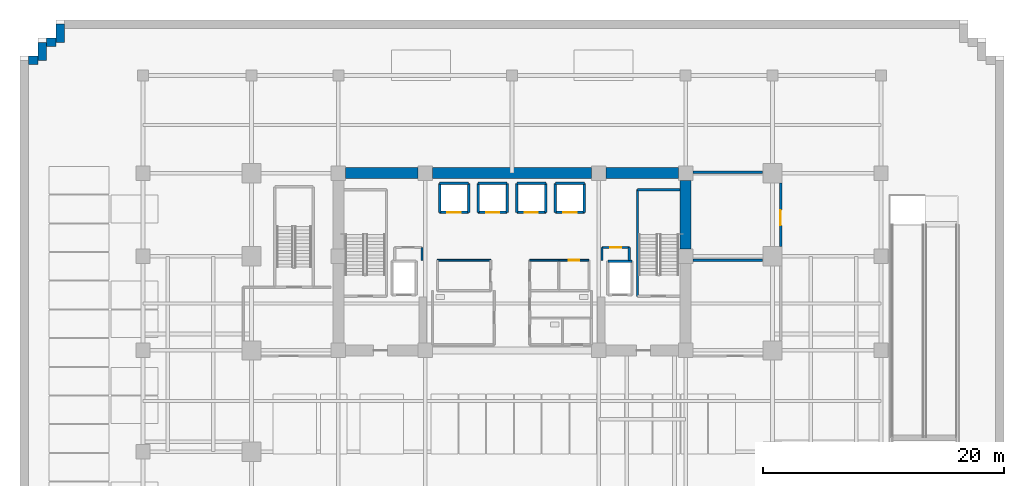
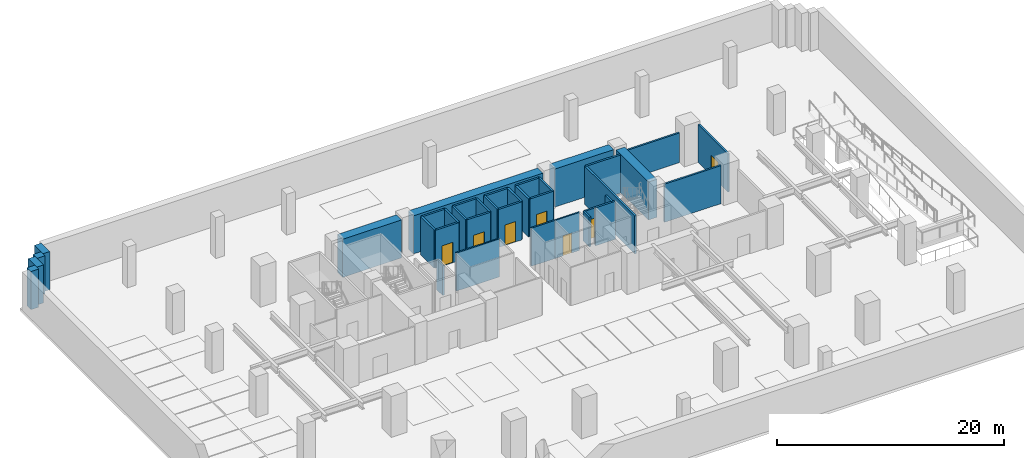
# One storey, part 5 of 14: 37 walls, 7 doors, 7 openings.
"""IFC4 building model written with IfcOpenShell, lengths in metres."""

import ifcopenshell
import ifcopenshell.guid

model = None  # the IFC model being written
_history = None  # IfcOwnerHistory: only IFC2X3 demands one
_inside = {}  # id of a spatial element -> (the spatial element, [elements in it])
_under = {}  # id of a project, library or spatial element -> (it, [spatial elements below it])
_declared = {}  # id of a project -> (the project, [libraries it declares])
_typed = {}  # id of a type object -> (the type object, [elements of that type])
_made_of = {}  # id of a material, layer set ... -> (it, [elements and type objects made of it])


def new_model(schema):
    """Start an empty IFC model of exactly this schema.

    Asked for "IFC4X3", IfcOpenShell would pick the latest addendum, in which some entities
    have other attributes; the version numbers below select the first issue.
    IFC2X3 requires an IfcOwnerHistory on every rooted entity: one is made here for all.
    """
    global model, _history
    if schema == "IFC4X3":
        model = ifcopenshell.file(schema_version=(4, 3, 0, 0))
    else:
        model = ifcopenshell.file(schema=schema)
    _inside.clear()
    _under.clear()
    _declared.clear()
    _typed.clear()
    _made_of.clear()
    _history = None
    if model.schema == "IFC2X3":
        org = make("IfcOrganization", Name="unknown")
        user = make(
            "IfcPersonAndOrganization",
            ThePerson=make("IfcPerson", FamilyName="unknown"),
            TheOrganization=org,
        )
        app = make(
            "IfcApplication",
            ApplicationDeveloper=org,
            Version="unknown",
            ApplicationFullName="unknown",
            ApplicationIdentifier="unknown",
        )
        _history = make(
            "IfcOwnerHistory",
            OwningUser=user,
            OwningApplication=app,
            ChangeAction="ADDED",
            CreationDate=0,
        )
    return model


def make(cls, **values):
    """One entity of the class cls with the attributes given. An attribute that is None is left unset."""
    return model.create_entity(
        cls, **{name: value for name, value in values.items() if value is not None}
    )


def rooted(cls, **values):
    """An entity with a GlobalId (a new one), such as an element, a storey or a relation."""
    return make(cls, GlobalId=ifcopenshell.guid.new(), OwnerHistory=_history, **values)


def si_unit(unit_type, name, prefix=None):
    """IfcSIUnit, for example si_unit("LENGTHUNIT", "METRE", prefix="MILLI")."""
    return make("IfcSIUnit", UnitType=unit_type, Prefix=prefix, Name=name)


def assignment(units):
    """IfcUnitAssignment: the units of a project."""
    return None if units is None else make("IfcUnitAssignment", Units=units)


def point(xyz):
    """IfcCartesianPoint."""
    return None if xyz is None else make("IfcCartesianPoint", Coordinates=xyz)


def direction(xyz):
    """IfcDirection."""
    return None if xyz is None else make("IfcDirection", DirectionRatios=xyz)


def frame(location, z_axis=None, x_axis=None):
    """IfcAxis2Placement3D, a coordinate frame: its origin and axes. An axis left out is left unset."""
    return make(
        "IfcAxis2Placement3D",
        Location=point(location),
        Axis=direction(z_axis),
        RefDirection=direction(x_axis),
    )


def frame_2d(location, x_axis=None):
    """IfcAxis2Placement2D, a coordinate frame in the plane: its origin and x axis."""
    return make(
        "IfcAxis2Placement2D", Location=point(location), RefDirection=direction(x_axis)
    )


def origin():
    """The frame at (0, 0, 0) with its axes left unset."""
    return frame((0.0, 0.0, 0.0))


def place(relative_to, where):
    """IfcLocalPlacement: puts the frame where relative to a parent placement (None: the world)."""
    return make(
        "IfcLocalPlacement", PlacementRelTo=relative_to, RelativePlacement=where
    )


def context(
    kind, dimensions, precision=None, world=None, true_north=None, identifier=None
):
    """IfcGeometricRepresentationContext, for example the 3D "Model" context."""
    return make(
        "IfcGeometricRepresentationContext",
        ContextIdentifier=identifier,
        ContextType=kind,
        CoordinateSpaceDimension=dimensions,
        Precision=precision,
        WorldCoordinateSystem=world,
        TrueNorth=true_north,
    )


def subcontext(parent, identifier, kind, view, scale=None):
    """IfcGeometricRepresentationSubContext, for example "Body" below "Model"."""
    return make(
        "IfcGeometricRepresentationSubContext",
        ContextIdentifier=identifier,
        ContextType=kind,
        ParentContext=parent,
        TargetScale=scale,
        TargetView=view,
    )


def project(units=None, contexts=None):
    """IfcProject with its units and contexts."""
    return rooted(
        "IfcProject",
        Name="project",
        RepresentationContexts=contexts,
        UnitsInContext=assignment(units),
    )


def spatial(cls, under=None, at=None, **own):
    """A site, building, storey or space (cls), placed at a placement, below another one or the project."""
    s = rooted(cls, ObjectPlacement=at, **own)
    if under is not None:
        _under.setdefault(under.id(), (under, []))[1].append(s)
    return s


def profile(cls, at=None, kind="AREA", **sizes):
    """A parametric profile (cls). Its sizes go by their IFC names, for example OverallWidth=200.0."""
    return make(cls, ProfileType=kind, Position=at, **sizes)


def rectangle(**sizes):
    """IfcRectangleProfileDef."""
    return profile("IfcRectangleProfileDef", **sizes)


def extrude(swept, where, along, depth):
    """IfcExtrudedAreaSolid: the profile swept, set in the frame where, extruded along a direction by depth."""
    return make(
        "IfcExtrudedAreaSolid",
        SweptArea=swept,
        Position=where,
        ExtrudedDirection=direction(along),
        Depth=depth,
    )


def shape(context_of_items, identifier, shape_type, items):
    """IfcShapeRepresentation: the items that make up one representation, for example the "Body"."""
    return make(
        "IfcShapeRepresentation",
        ContextOfItems=context_of_items,
        RepresentationIdentifier=identifier,
        RepresentationType=shape_type,
        Items=items,
    )


def source(mapping_origin, context_of_items, identifier, shape_type, items):
    """IfcRepresentationMap: a shape defined once, which mapped items show again and again."""
    return make(
        "IfcRepresentationMap",
        MappingOrigin=mapping_origin,
        MappedRepresentation=shape(context_of_items, identifier, shape_type, items),
    )


def transform(
    local_origin,
    x_axis=None,
    y_axis=None,
    z_axis=None,
    scale=None,
    scale2=None,
    scale3=None,
    uniform=True,
):
    """IfcCartesianTransformationOperator3D, or its non-uniform kind. x_axis, y_axis, z_axis: its Axis1, 2, 3."""
    if uniform:
        return make(
            "IfcCartesianTransformationOperator3D",
            Axis1=direction(x_axis),
            Axis2=direction(y_axis),
            LocalOrigin=point(local_origin),
            Scale=scale,
            Axis3=direction(z_axis),
        )
    return make(
        "IfcCartesianTransformationOperator3DnonUniform",
        Axis1=direction(x_axis),
        Axis2=direction(y_axis),
        LocalOrigin=point(local_origin),
        Scale=scale,
        Axis3=direction(z_axis),
        Scale2=scale2,
        Scale3=scale3,
    )


def mapped(mapping_source, mapping_target):
    """IfcMappedItem: shows the shape of a source again, moved by a transform."""
    return make(
        "IfcMappedItem", MappingSource=mapping_source, MappingTarget=mapping_target
    )


def material(Name=None, Category=None):
    """IfcMaterial."""
    return make("IfcMaterial", Name=Name, Category=Category)


def layer(
    of_material, thickness, ventilated=None, Name=None, Category=None, Priority=None
):
    """IfcMaterialLayer: one layer of a wall or slab, of a material (None: an air gap)."""
    return make(
        "IfcMaterialLayer",
        Material=of_material,
        LayerThickness=thickness,
        IsVentilated=ventilated,
        Name=Name,
        Category=Category,
        Priority=Priority,
    )


def layer_set(layers, Name=None):
    """IfcMaterialLayerSet."""
    return make("IfcMaterialLayerSet", MaterialLayers=layers, LayerSetName=Name)


def made_of(thing, what):
    """Note that an element or type object is made of a material, layer set ...; save() writes the relation."""
    if what is not None:
        _made_of.setdefault(what.id(), (what, []))[1].append(thing)
    return thing


def type_object(cls, material=None, **own):
    """A type object (cls), such as IfcWallType, which elements share."""
    return made_of(rooted(cls, **own), material)


def element(
    cls,
    number,
    at=None,
    inside=None,
    cuts=None,
    type_object=None,
    material=None,
    context=None,
    identifier="Body",
    shape_type=None,
    held_by="IfcProductDefinitionShape",
    body=None,
    shapes=None,
    **own,
):
    """One element of the class cls, such as IfcWall. Its Tag is "e" and its number.

    at: its placement. inside: the storey or other place that contains it. cuts: it is an
    opening in that element (IfcRelVoidsElement). A single representation is given by context,
    identifier, shape_type and body (its items); several are given by shapes. held_by: the class
    of the entity that holds the representations. save() writes the other relations.
    """
    e = rooted(cls, Tag="e%d" % number, ObjectPlacement=at, **own)
    if body is not None:
        shapes = [shape(context, identifier, shape_type, body)]
    if shapes is not None:
        e.Representation = make(held_by, Representations=shapes)
    if inside is not None:
        _inside.setdefault(inside.id(), (inside, []))[1].append(e)
    if cuts is not None:
        rooted(
            "IfcRelVoidsElement", RelatingBuildingElement=cuts, RelatedOpeningElement=e
        )
    if type_object is not None:
        _typed.setdefault(type_object.id(), (type_object, []))[1].append(e)
    return made_of(e, material)


def fill(opening, filler):
    """IfcRelFillsElement: the door or window that sits in an opening."""
    return rooted(
        "IfcRelFillsElement",
        RelatingOpeningElement=opening,
        RelatedBuildingElement=filler,
    )


def aggregate(whole, parts):
    """IfcRelAggregates: a whole, such as a stair, and the parts it consists of."""
    return rooted("IfcRelAggregates", RelatingObject=whole, RelatedObjects=parts)


def save(model, path):
    """Write the relations noted so far, then the file.

    IfcRelAggregates (storeys below a building ...), IfcRelContainedInSpatialStructure (elements
    in a storey), IfcRelDefinesByType, IfcRelAssociatesMaterial and IfcRelDeclares: one each for
    every whole, place, type object, material and project.
    """
    for whole, parts in _under.values():
        aggregate(whole, parts)
    for where, things in _inside.values():
        rooted(
            "IfcRelContainedInSpatialStructure",
            RelatedElements=things,
            RelatingStructure=where,
        )
    for kind, things in _typed.values():
        rooted("IfcRelDefinesByType", RelatedObjects=things, RelatingType=kind)
    for what, things in _made_of.values():
        rooted("IfcRelAssociatesMaterial", RelatedObjects=things, RelatingMaterial=what)
    for by, libraries in _declared.values():
        rooted("IfcRelDeclares", RelatingContext=by, RelatedDefinitions=libraries)
    model.write(path)


model = new_model("IFC4")

# Units and contexts
model_context = context("Model", 3, precision=1e-05, world=origin(), true_north=direction((0.0, 1.0)))
body_context = subcontext(model_context, "Body", "Model", "MODEL_VIEW")
ifc_project = project(units=[si_unit("LENGTHUNIT", "METRE"), si_unit("AREAUNIT", "SQUARE_METRE"), si_unit("VOLUMEUNIT", "CUBIC_METRE"), si_unit("PLANEANGLEUNIT", "RADIAN"), si_unit("MASSUNIT", "GRAM", prefix="KILO")], contexts=[model_context])

# Site, building, storey
site_placement = place(None, origin())
site = spatial("IfcSite", under=ifc_project, at=site_placement, CompositionType="ELEMENT")
building_placement = place(site_placement, origin())
building = spatial("IfcBuilding", under=site, at=building_placement, Name="Zarnakvel Exchange Tower", CompositionType="ELEMENT")
storey_placement = place(building_placement, frame((0.0, 0.0, -4.39990234375)))
storey = spatial("IfcBuildingStorey", under=building, at=storey_placement, Name="B01", CompositionType="ELEMENT", Elevation=-4.39990234375)

# Walls
ifc_material_1 = material(Name="Concrete C80/95", Category="concrete")
ifc_layer_1 = layer(ifc_material_1, 0.89990234375)
ifc_layer_set_1 = layer_set([ifc_layer_1], Name="Concrete C80/95")
wall_type_1 = type_object("IfcWallType", Name="CW-C1", PredefinedType="SHEAR", material=ifc_layer_set_1)
wall_1_placement = place(storey_placement, frame((-13.800048828125, 13.5, 0.0), z_axis=(0.0, 0.0, 1.0), x_axis=(1.0, 0.0, 0.0)))
element("IfcWall", 1, at=wall_1_placement, inside=storey, type_object=wall_type_1, Name="B01 Rear Core Shear Wall N1 (CW-C1)", PredefinedType="SHEAR", context=body_context, shape_type="SweptSolid", body=[
    extrude(rectangle(XDim=6.0, YDim=0.89990234375, at=frame_2d((3.0, 0.0))), origin(), (0.0, 0.0, 1.0), 4.099853515625),
])
wall_2_placement = place(storey_placement, frame((-6.60009765625, 13.5, 0.0), z_axis=(0.0, 0.0, 1.0), x_axis=(1.0, 0.0, 0.0)))
element("IfcWall", 2, at=wall_2_placement, inside=storey, type_object=wall_type_1, Name="B01 Rear Core Shear Wall N2 (CW-C1)", PredefinedType="SHEAR", context=body_context, shape_type="SweptSolid", body=[
    extrude(rectangle(XDim=13.2001953125, YDim=0.89990234375, at=frame_2d((6.60009765625, 0.0))), origin(), (0.0, 0.0, 1.0), 4.099853515625),
])
wall_3_placement = place(storey_placement, frame((7.800048828125, 13.5, 0.0), z_axis=(0.0, 0.0, 1.0), x_axis=(1.0, 0.0, 0.0)))
element("IfcWall", 3, at=wall_3_placement, inside=storey, type_object=wall_type_1, Name="B01 Rear Core Shear Wall N3 (CW-C1)", PredefinedType="SHEAR", context=body_context, shape_type="SweptSolid", body=[
    extrude(rectangle(XDim=6.0, YDim=0.89990234375, at=frame_2d((3.0, 0.0))), origin(), (0.0, 0.0, 1.0), 4.099853515625),
])
wall_4_placement = place(storey_placement, frame((14.39990234375, 7.199951171875, 0.0), z_axis=(0.0, 0.0, 1.0), x_axis=(0.0, 1.0, 0.0)))
element("IfcWall", 4, at=wall_4_placement, inside=storey, type_object=wall_type_1, Name="B01 Rear Core Shear Wall E2 (CW-C1)", PredefinedType="SHEAR", context=body_context, shape_type="SweptSolid", body=[
    extrude(rectangle(XDim=5.699951171875, YDim=0.89990234375, at=frame_2d((2.85009765625, 0.0))), origin(), (0.0, 0.0, 1.0), 4.099853515625),
])
ifc_material_2 = material(Name="Fire-Rated Gypsum Stud Partition", Category="gypsum")
ifc_layer_2 = layer(ifc_material_2, 0.14990234375)
ifc_layer_set_2 = layer_set([ifc_layer_2], Name="Fire-Rated Gypsum Stud Partition")
wall_type_2 = type_object("IfcWallType", Name="PT-01", PredefinedType="PARTITIONING", material=ifc_layer_set_2)
wall_5_placement = place(storey_placement, frame((-6.179931640625, 6.280029296875, 0.0), z_axis=(0.0, 0.0, 1.0), x_axis=(1.0, 0.0, 0.0)))
element("IfcWall", 5, at=wall_5_placement, inside=storey, type_object=wall_type_2, Name="B01 Partition Wall PWALL-B01-014 (PT-01)", PredefinedType="PARTITIONING", context=body_context, shape_type="SweptSolid", body=[
    extrude(rectangle(XDim=4.409912109375, YDim=0.14990234375, at=frame_2d((2.205078125, 0.0))), origin(), (0.0, 0.0, 1.0), 4.099853515625),
])
wall_6_placement = place(storey_placement, frame((1.469970703125, 6.280029296875, 0.0), z_axis=(0.0, 0.0, 1.0), x_axis=(1.0, 0.0, 0.0)))
element("IfcWall", 6, at=wall_6_placement, inside=storey, type_object=wall_type_2, Name="B01 Partition Wall PWALL-B01-018 (PT-01)", PredefinedType="PARTITIONING", context=body_context, shape_type="SweptSolid", body=[
    extrude(rectangle(XDim=2.409912109375, YDim=0.14990234375, at=frame_2d((1.205078125, 0.0))), origin(), (0.0, 0.0, 1.0), 4.099853515625),
])

# Wall, opening, door
wall_7_placement = place(storey_placement, frame((3.8798828125, 6.280029296875, 0.0), z_axis=(0.0, 0.0, 1.0), x_axis=(1.0, 0.0, 0.0)))
wall_7 = element("IfcWall", 7, at=wall_7_placement, inside=storey, type_object=wall_type_2, Name="B01 Partition Wall PWALL-B01-022 (PT-01)", PredefinedType="PARTITIONING", context=body_context, shape_type="SweptSolid", body=[
    extrude(rectangle(XDim=2.5, YDim=0.14990234375, at=frame_2d((1.25, 0.0))), origin(), (0.0, 0.0, 1.0), 4.099853515625),
])
opening_1_placement = place(wall_7_placement, frame((0.81005859375, 0.0, 0.0)))
opening_1 = element("IfcOpeningElement", 8, at=opening_1_placement, cuts=wall_7, Name="Opening D-B01-07", PredefinedType="OPENING", context=body_context, shape_type="SweptSolid", body=[
    extrude(rectangle(XDim=0.8798828125, YDim=2.14990234375, at=frame_2d((0.43994140625, 1.074951171875))), frame((0.0, 0.0849609375, 0.0), z_axis=(0.0, -1.0, 0.0), x_axis=(1.0, 0.0, 0.0)), (0.0, 0.0, 1.0), 0.169921875),
])
ifc_material_3 = material(Name="Timber Acoustic Veneer", Category="wood")
door_type_1 = type_object("IfcDoorType", Name="DT-05", OperationType="NOTDEFINED", PredefinedType="DOOR", material=ifc_material_3)
shared_shape_1 = source(origin(), body_context, "Body", "SweptSolid", [
    extrude(rectangle(XDim=0.8798828125, YDim=2.14990234375, at=frame_2d((0.43994140625, 1.074951171875))), frame((0.0, 0.02490234375, 0.0), z_axis=(0.0, -1.0, 0.0), x_axis=(1.0, 0.0, 0.0)), (0.0, 0.0, 1.0), 0.050048828125),
])
door_1_placement = place(opening_1_placement, origin())
door_1 = element("IfcDoor", 9, at=door_1_placement, inside=storey, type_object=door_type_1, Name="B01 Data Copy Room Door D-B01-07", OperationType="SINGLE_SWING_RIGHT", OverallHeight=2.14990234375, OverallWidth=0.8798828125, PredefinedType="DOOR", context=body_context, shape_type="MappedRepresentation", body=[
    mapped(shared_shape_1, transform((0.0, 0.0, 0.0), x_axis=(1.0, 0.0, 0.0), y_axis=(0.0, 1.0, 0.0), z_axis=(0.0, 0.0, 1.0), scale=1.0)),
])
fill(opening_1, door_1)

# Wall
ifc_layer_3 = layer(ifc_material_2, 0.179931640625)
ifc_layer_set_3 = layer_set([ifc_layer_3], Name="Fire-Rated Gypsum Stud Partition")
wall_type_3 = type_object("IfcWallType", Name="PT-02", PredefinedType="PARTITIONING", material=ifc_layer_set_3)
wall_8_placement = place(storey_placement, frame((-7.469970703125, 7.330078125, 0.0), z_axis=(0.0, 0.0, 1.0), x_axis=(0.0, -1.0, 0.0)))
element("IfcWall", 10, at=wall_8_placement, inside=storey, type_object=wall_type_3, Name="B01 Partition Wall PWALL-B01-009 (PT-02)", PredefinedType="PARTITIONING", context=body_context, shape_type="SweptSolid", body=[
    extrude(rectangle(XDim=1.090087890625, YDim=0.179931640625, at=frame_2d((0.544921875, 0.0))), origin(), (0.0, 0.0, 1.0), 3.18994140625),
])

# Wall, opening, door
wall_9_placement = place(storey_placement, frame((7.469970703125, 7.330078125, 0.0), z_axis=(0.0, 0.0, 1.0), x_axis=(1.0, 0.0, 0.0)))
wall_9 = element("IfcWall", 11, at=wall_9_placement, inside=storey, type_object=wall_type_3, Name="B01 Partition Wall PWALL-B01-010 (PT-02)", PredefinedType="PARTITIONING", context=body_context, shape_type="SweptSolid", body=[
    extrude(rectangle(XDim=2.260009765625, YDim=0.179931640625, at=frame_2d((1.1298828125, 0.0))), origin(), (0.0, 0.0, 1.0), 3.18994140625),
])
opening_2_placement = place(wall_9_placement, frame((0.68994140625, 0.0, 0.0)))
opening_2 = element("IfcOpeningElement", 12, at=opening_2_placement, cuts=wall_9, Name="Opening D-B01-17", PredefinedType="OPENING", context=body_context, shape_type="SweptSolid", body=[
    extrude(rectangle(XDim=0.8798828125, YDim=2.10009765625, at=frame_2d((0.43994140625, 1.050048828125))), frame((0.0, 0.099853515625, 0.0), z_axis=(0.0, -1.0, 0.0), x_axis=(1.0, 0.0, 0.0)), (0.0, 0.0, 1.0), 0.199951171875),
])
ifc_material_4 = material(Name="Painted Galvanised Steel S355", Category="steel")
door_type_2 = type_object("IfcDoorType", Name="DT-08", OperationType="NOTDEFINED", PredefinedType="DOOR", material=ifc_material_4)
shared_shape_2 = source(origin(), body_context, "Body", "SweptSolid", [
    extrude(rectangle(XDim=0.8798828125, YDim=2.10009765625, at=frame_2d((0.43994140625, 1.050048828125))), frame((0.0, 0.02490234375, 0.0), z_axis=(0.0, -1.0, 0.0), x_axis=(1.0, 0.0, 0.0)), (0.0, 0.0, 1.0), 0.050048828125),
])
door_2_placement = place(opening_2_placement, origin())
door_2 = element("IfcDoor", 13, at=door_2_placement, inside=storey, type_object=door_type_2, Name="B01 Telecom Riser Door D-B01-17", OperationType="SINGLE_SWING_RIGHT", OverallHeight=2.10009765625, OverallWidth=0.8798828125, PredefinedType="DOOR", context=body_context, shape_type="MappedRepresentation", body=[
    mapped(shared_shape_2, transform((0.0, 0.0, 0.0), x_axis=(1.0, 0.0, 0.0), y_axis=(0.0, 1.0, 0.0), z_axis=(0.0, 0.0, 1.0), scale=1.0)),
])
fill(opening_2, door_2)

# Walls
wall_10_placement = place(storey_placement, frame((7.469970703125, 6.239990234375, 0.0), z_axis=(0.0, 0.0, 1.0), x_axis=(0.0, 1.0, 0.0)))
element("IfcWall", 14, at=wall_10_placement, inside=storey, type_object=wall_type_3, Name="B01 Partition Wall PWALL-B01-011 (PT-02)", PredefinedType="PARTITIONING", context=body_context, shape_type="SweptSolid", body=[
    extrude(rectangle(XDim=1.090087890625, YDim=0.179931640625, at=frame_2d((0.544921875, 0.0))), origin(), (0.0, 0.0, 1.0), 3.18994140625),
])
wall_11_placement = place(storey_placement, frame((9.72998046875, 7.330078125, 0.0), z_axis=(0.0, 0.0, 1.0), x_axis=(0.0, -1.0, 0.0)))
element("IfcWall", 15, at=wall_11_placement, inside=storey, type_object=wall_type_3, Name="B01 Partition Wall PWALL-B01-012 (PT-02)", PredefinedType="PARTITIONING", context=body_context, shape_type="SweptSolid", body=[
    extrude(rectangle(XDim=1.090087890625, YDim=0.179931640625, at=frame_2d((0.544921875, 0.0))), origin(), (0.0, 0.0, 1.0), 4.099853515625),
])
wall_12_placement = place(storey_placement, frame((15.02001953125, 6.280029296875, 0.0), z_axis=(0.0, 0.0, 1.0), x_axis=(1.0, 0.0, 0.0)))
element("IfcWall", 16, at=wall_12_placement, inside=storey, type_object=wall_type_3, Name="B01 Partition Wall PWALL-B01-044 (PT-02)", PredefinedType="PARTITIONING", context=body_context, shape_type="SweptSolid", body=[
    extrude(rectangle(XDim=5.760009765625, YDim=0.179931640625, at=frame_2d((2.8798828125, 0.0))), origin(), (0.0, 0.0, 1.0), 4.099853515625),
])
wall_13_placement = place(storey_placement, frame((15.02001953125, 13.580078125, 0.0), z_axis=(0.0, 0.0, 1.0), x_axis=(1.0, 0.0, 0.0)))
element("IfcWall", 17, at=wall_13_placement, inside=storey, type_object=wall_type_3, Name="B01 Partition Wall PWALL-B01-046 (PT-02)", PredefinedType="PARTITIONING", context=body_context, shape_type="SweptSolid", body=[
    extrude(rectangle(XDim=5.760009765625, YDim=0.179931640625, at=frame_2d((2.8798828125, 0.0))), origin(), (0.0, 0.0, 1.0), 3.18994140625),
])

# Wall, opening, door
wall_14_placement = place(storey_placement, frame((22.280029296875, 12.679931640625, 0.0), z_axis=(0.0, 0.0, 1.0), x_axis=(0.0, -1.0, 0.0)))
wall_14 = element("IfcWall", 18, at=wall_14_placement, inside=storey, type_object=wall_type_3, Name="B01 Partition Wall PWALL-B01-047 (PT-02)", PredefinedType="PARTITIONING", context=body_context, shape_type="SweptSolid", body=[
    extrude(rectangle(XDim=5.260009765625, YDim=0.179931640625, at=frame_2d((2.6298828125, 0.0))), origin(), (0.0, 0.0, 1.0), 4.099853515625),
])
opening_3_placement = place(wall_14_placement, frame((2.2548828125, 0.0, 0.0)))
opening_3 = element("IfcOpeningElement", 19, at=opening_3_placement, cuts=wall_14, Name="Opening D-B01-15", PredefinedType="OPENING", context=body_context, shape_type="SweptSolid", body=[
    extrude(rectangle(XDim=1.25, YDim=2.14990234375, at=frame_2d((0.625, 1.074951171875))), frame((0.0, 0.099853515625, 0.0), z_axis=(0.0, -1.0, 0.0), x_axis=(1.0, 0.0, 0.0)), (0.0, 0.0, 1.0), 0.199951171875),
])
door_type_3 = type_object("IfcDoorType", Name="DT-06", OperationType="NOTDEFINED", PredefinedType="DOOR", material=ifc_material_4)
shared_shape_3 = source(origin(), body_context, "Body", "SweptSolid", [
    extrude(rectangle(XDim=1.25, YDim=2.14990234375, at=frame_2d((0.625, 1.074951171875))), frame((0.0, 0.02490234375, 0.0), z_axis=(0.0, -1.0, 0.0), x_axis=(1.0, 0.0, 0.0)), (0.0, 0.0, 1.0), 0.050048828125),
])
door_3_placement = place(opening_3_placement, origin())
door_3 = element("IfcDoor", 20, at=door_3_placement, inside=storey, type_object=door_type_3, Name="B01 Podium AHU Fan Plant Room Door D-B01-15", OperationType="SINGLE_SWING_RIGHT", OverallHeight=2.14990234375, OverallWidth=1.25, PredefinedType="DOOR", context=body_context, shape_type="MappedRepresentation", body=[
    mapped(shared_shape_3, transform((0.0, 0.0, 0.0), x_axis=(1.0, 0.0, 0.0), y_axis=(0.0, 1.0, 0.0), z_axis=(0.0, 0.0, 1.0), scale=1.0)),
])
fill(opening_3, door_3)

# Walls
ifc_material_5 = material(Name="Concrete C50/60", Category="concrete")
ifc_layer_4 = layer(ifc_material_5, 0.699951171875)
ifc_layer_set_4 = layer_set([ifc_layer_4], Name="Concrete C50/60")
wall_type_4 = type_object("IfcWallType", Name="RW-02", PredefinedType="USERDEFINED", material=ifc_layer_set_4)
wall_15_placement = place(storey_placement, frame((-40.10009765625, 22.85009765625, 0.0), z_axis=(0.0, 0.0, 1.0), x_axis=(1.0, 0.0, 0.0)))
element("IfcWall", 21, at=wall_15_placement, inside=storey, type_object=wall_type_4, Name="B01 Perimeter Retaining Wall RW-02 #2", ObjectType="RETAININGWALL", PredefinedType="USERDEFINED", context=body_context, shape_type="SweptSolid", body=[
    extrude(rectangle(XDim=0.800048828125, YDim=0.699951171875, at=frame_2d((0.39990234375, 0.0))), origin(), (0.0, 0.0, 1.0), 4.099853515625),
])
wall_16_placement = place(storey_placement, frame((-38.949951171875, 22.85009765625, 0.0), z_axis=(0.0, 0.0, 1.0), x_axis=(0.0, 1.0, 0.0)))
element("IfcWall", 22, at=wall_16_placement, inside=storey, type_object=wall_type_4, Name="B01 Perimeter Retaining Wall RW-02 #3", ObjectType="RETAININGWALL", PredefinedType="USERDEFINED", context=body_context, shape_type="SweptSolid", body=[
    extrude(rectangle(XDim=1.5, YDim=0.699951171875, at=frame_2d((0.75, 0.0))), origin(), (0.0, 0.0, 1.0), 4.099853515625),
])
wall_17_placement = place(storey_placement, frame((-38.60009765625, 24.35009765625, 0.0), z_axis=(0.0, 0.0, 1.0), x_axis=(1.0, 0.0, 0.0)))
element("IfcWall", 23, at=wall_17_placement, inside=storey, type_object=wall_type_4, Name="B01 Perimeter Retaining Wall RW-02 #4", ObjectType="RETAININGWALL", PredefinedType="USERDEFINED", context=body_context, shape_type="SweptSolid", body=[
    extrude(rectangle(XDim=0.800048828125, YDim=0.699951171875, at=frame_2d((0.39990234375, 0.0))), origin(), (0.0, 0.0, 1.0), 4.099853515625),
])
wall_18_placement = place(storey_placement, frame((-37.449951171875, 24.35009765625, 0.0), z_axis=(0.0, 0.0, 1.0), x_axis=(0.0, 1.0, 0.0)))
element("IfcWall", 24, at=wall_18_placement, inside=storey, type_object=wall_type_4, Name="B01 Perimeter Retaining Wall RW-02 #5", ObjectType="RETAININGWALL", PredefinedType="USERDEFINED", context=body_context, shape_type="SweptSolid", body=[
    extrude(rectangle(XDim=1.5, YDim=0.699951171875, at=frame_2d((0.75, 0.0))), origin(), (0.0, 0.0, 1.0), 4.099853515625),
])
ifc_material_6 = material(Name="Concrete C40/50", Category="concrete")
ifc_layer_5 = layer(ifc_material_6, 0.199951171875)
ifc_layer_set_5 = layer_set([ifc_layer_5], Name="Concrete C40/50")
wall_type_5 = type_object("IfcWallType", Name="SW-01", PredefinedType="SOLIDWALL", material=ifc_layer_set_5)
wall_19_placement = place(storey_placement, frame((7.949951171875, 6.199951171875, 0.0), z_axis=(0.0, 0.0, 1.0), x_axis=(1.0, 0.0, 0.0)))
element("IfcWall", 25, at=wall_19_placement, inside=storey, type_object=wall_type_5, Name="B01 FL-02 Hoistway Wall North", PredefinedType="SOLIDWALL", context=body_context, shape_type="SweptSolid", body=[
    extrude(rectangle(XDim=2.0, YDim=0.199951171875, at=frame_2d((1.0, 0.0))), origin(), (0.0, 0.0, 1.0), 4.099853515625),
])

# Wall, opening, door
wall_20_placement = place(storey_placement, frame((-3.60009765625, 10.25, 0.0), z_axis=(0.0, 0.0, 1.0), x_axis=(-1.0, 0.0, 0.0)))
wall_20 = element("IfcWall", 26, at=wall_20_placement, inside=storey, type_object=wall_type_5, Name="B01 PL-01 Hoistway Wall South", PredefinedType="SOLIDWALL", context=body_context, shape_type="SweptSolid", body=[
    extrude(rectangle(XDim=2.39990234375, YDim=0.199951171875, at=frame_2d((1.199951171875, 0.0))), origin(), (0.0, 0.0, 1.0), 4.099853515625),
])
opening_4_placement = place(wall_20_placement, frame((0.64990234375, 0.0, 0.0)))
opening_4 = element("IfcOpeningElement", 27, at=opening_4_placement, cuts=wall_20, Name="Opening LD-PL-01-B01", PredefinedType="OPENING", context=body_context, shape_type="SweptSolid", body=[
    extrude(rectangle(XDim=1.10009765625, YDim=2.199951171875, at=frame_2d((0.550048828125, 1.10009765625))), frame((0.0, 0.10986328125, 0.0), z_axis=(0.0, -1.0, 0.0), x_axis=(1.0, 0.0, 0.0)), (0.0, 0.0, 1.0), 0.219970703125),
])
ifc_material_7 = material(Name="Architectural Bronze Anodised Aluminium", Category="aluminium")
door_type_4 = type_object("IfcDoorType", Name="LDT-02", OperationType="NOTDEFINED", PredefinedType="DOOR", material=ifc_material_7)
shared_shape_4 = source(origin(), body_context, "Body", "SweptSolid", [
    extrude(rectangle(XDim=1.10009765625, YDim=2.199951171875, at=frame_2d((0.550048828125, 1.10009765625))), frame((0.0, 0.02490234375, 0.0), z_axis=(0.0, -1.0, 0.0), x_axis=(1.0, 0.0, 0.0)), (0.0, 0.0, 1.0), 0.050048828125),
])
door_4_placement = place(opening_4_placement, origin())
door_4 = element("IfcDoor", 28, at=door_4_placement, inside=storey, type_object=door_type_4, Name="B01 PL-01 Lift Landing Door LD-PL-01-B01", OperationType="DOUBLE_DOOR_SLIDING", OverallHeight=2.199951171875, OverallWidth=1.10009765625, PredefinedType="DOOR", context=body_context, shape_type="MappedRepresentation", body=[
    mapped(shared_shape_4, transform((0.0, 0.0, 0.0), x_axis=(1.0, 0.0, 0.0), y_axis=(0.0, 1.0, 0.0), z_axis=(0.0, 0.0, 1.0), scale=1.0)),
])
fill(opening_4, door_4)

# Walls
for number, where, z_axis, x_axis, name in (
    (29, (-6.0, 12.64990234375, 0.0), (0.0, 0.0, 1.0), (1.0, 0.0, 0.0), "B01 PL-01 Hoistway Wall North"),
    (30, (-6.0, 10.25, 0.0), (0.0, 0.0, 1.0), (0.0, 1.0, 0.0), "B01 PL-01 Hoistway Wall West"),
    (31, (-3.60009765625, 12.64990234375, 0.0), (0.0, 0.0, 1.0), (0.0, -1.0, 0.0), "B01 PL-01 Hoistway Wall East"),
):
    element("IfcWall", number, at=place(storey_placement, frame(where, z_axis=z_axis, x_axis=x_axis)), inside=storey, type_object=wall_type_5, Name=name, PredefinedType="SOLIDWALL", context=body_context, shape_type="SweptSolid", body=[
        extrude(rectangle(XDim=2.39990234375, YDim=0.199951171875, at=frame_2d((1.199951171875, 0.0))), origin(), (0.0, 0.0, 1.0), 4.099853515625),
    ])

# Wall, opening, door
wall_21_placement = place(storey_placement, frame((-0.39990234375, 10.25, 0.0), z_axis=(0.0, 0.0, 1.0), x_axis=(-1.0, 0.0, 0.0)))
wall_21 = element("IfcWall", 32, at=wall_21_placement, inside=storey, type_object=wall_type_5, Name="B01 PL-02 Hoistway Wall South", PredefinedType="SOLIDWALL", context=body_context, shape_type="SweptSolid", body=[
    extrude(rectangle(XDim=2.400146484375, YDim=0.199951171875, at=frame_2d((1.2001953125, 0.0))), origin(), (0.0, 0.0, 1.0), 4.099853515625),
])
opening_5_placement = place(wall_21_placement, frame((0.64990234375, 0.0, 0.0)))
opening_5 = element("IfcOpeningElement", 33, at=opening_5_placement, cuts=wall_21, Name="Opening LD-PL-02-B01", PredefinedType="OPENING", context=body_context, shape_type="SweptSolid", body=[
    extrude(rectangle(XDim=1.10009765625, YDim=2.199951171875, at=frame_2d((0.550048828125, 1.10009765625))), frame((0.0, 0.10986328125, 0.0), z_axis=(0.0, -1.0, 0.0), x_axis=(1.0, 0.0, 0.0)), (0.0, 0.0, 1.0), 0.219970703125),
])
door_5_placement = place(opening_5_placement, origin())
door_5 = element("IfcDoor", 34, at=door_5_placement, inside=storey, type_object=door_type_4, Name="B01 PL-02 Lift Landing Door LD-PL-02-B01", OperationType="DOUBLE_DOOR_SLIDING", OverallHeight=2.199951171875, OverallWidth=1.10009765625, PredefinedType="DOOR", context=body_context, shape_type="MappedRepresentation", body=[
    mapped(shared_shape_4, transform((0.0, 0.0, 0.0), x_axis=(1.0, 0.0, 0.0), y_axis=(0.0, 1.0, 0.0), z_axis=(0.0, 0.0, 1.0), scale=1.0)),
])
fill(opening_5, door_5)

# Walls
wall_22_placement = place(storey_placement, frame((-2.800048828125, 12.64990234375, 0.0), z_axis=(0.0, 0.0, 1.0), x_axis=(1.0, 0.0, 0.0)))
element("IfcWall", 35, at=wall_22_placement, inside=storey, type_object=wall_type_5, Name="B01 PL-02 Hoistway Wall North", PredefinedType="SOLIDWALL", context=body_context, shape_type="SweptSolid", body=[
    extrude(rectangle(XDim=2.400146484375, YDim=0.199951171875, at=frame_2d((1.2001953125, 0.0))), origin(), (0.0, 0.0, 1.0), 4.099853515625),
])
for number, where, z_axis, x_axis, name in (
    (36, (-2.800048828125, 10.25, 0.0), (0.0, 0.0, 1.0), (0.0, 1.0, 0.0), "B01 PL-02 Hoistway Wall West"),
    (37, (-0.39990234375, 12.64990234375, 0.0), (0.0, 0.0, 1.0), (0.0, -1.0, 0.0), "B01 PL-02 Hoistway Wall East"),
):
    element("IfcWall", number, at=place(storey_placement, frame(where, z_axis=z_axis, x_axis=x_axis)), inside=storey, type_object=wall_type_5, Name=name, PredefinedType="SOLIDWALL", context=body_context, shape_type="SweptSolid", body=[
        extrude(rectangle(XDim=2.39990234375, YDim=0.199951171875, at=frame_2d((1.199951171875, 0.0))), origin(), (0.0, 0.0, 1.0), 4.099853515625),
    ])

# Wall, opening, door
wall_23_placement = place(storey_placement, frame((2.800048828125, 10.25, 0.0), z_axis=(0.0, 0.0, 1.0), x_axis=(-1.0, 0.0, 0.0)))
wall_23 = element("IfcWall", 38, at=wall_23_placement, inside=storey, type_object=wall_type_5, Name="B01 PL-03 Hoistway Wall South", PredefinedType="SOLIDWALL", context=body_context, shape_type="SweptSolid", body=[
    extrude(rectangle(XDim=2.400146484375, YDim=0.199951171875, at=frame_2d((1.2001953125, 0.0))), origin(), (0.0, 0.0, 1.0), 4.099853515625),
])
opening_6_placement = place(wall_23_placement, frame((0.64990234375, 0.0, 0.0)))
opening_6 = element("IfcOpeningElement", 39, at=opening_6_placement, cuts=wall_23, Name="Opening LD-PL-03-B01", PredefinedType="OPENING", context=body_context, shape_type="SweptSolid", body=[
    extrude(rectangle(XDim=1.10009765625, YDim=2.199951171875, at=frame_2d((0.550048828125, 1.10009765625))), frame((0.0, 0.10986328125, 0.0), z_axis=(0.0, -1.0, 0.0), x_axis=(1.0, 0.0, 0.0)), (0.0, 0.0, 1.0), 0.219970703125),
])
door_6_placement = place(opening_6_placement, origin())
door_6 = element("IfcDoor", 40, at=door_6_placement, inside=storey, type_object=door_type_4, Name="B01 PL-03 Lift Landing Door LD-PL-03-B01", OperationType="DOUBLE_DOOR_SLIDING", OverallHeight=2.199951171875, OverallWidth=1.10009765625, PredefinedType="DOOR", context=body_context, shape_type="MappedRepresentation", body=[
    mapped(shared_shape_4, transform((0.0, 0.0, 0.0), x_axis=(1.0, 0.0, 0.0), y_axis=(0.0, 1.0, 0.0), z_axis=(0.0, 0.0, 1.0), scale=1.0)),
])
fill(opening_6, door_6)

# Walls
wall_24_placement = place(storey_placement, frame((0.39990234375, 12.64990234375, 0.0), z_axis=(0.0, 0.0, 1.0), x_axis=(1.0, 0.0, 0.0)))
element("IfcWall", 41, at=wall_24_placement, inside=storey, type_object=wall_type_5, Name="B01 PL-03 Hoistway Wall North", PredefinedType="SOLIDWALL", context=body_context, shape_type="SweptSolid", body=[
    extrude(rectangle(XDim=2.400146484375, YDim=0.199951171875, at=frame_2d((1.2001953125, 0.0))), origin(), (0.0, 0.0, 1.0), 4.099853515625),
])
for number, where, z_axis, x_axis, name in (
    (42, (0.39990234375, 10.25, 0.0), (0.0, 0.0, 1.0), (0.0, 1.0, 0.0), "B01 PL-03 Hoistway Wall West"),
    (43, (2.800048828125, 12.64990234375, 0.0), (0.0, 0.0, 1.0), (0.0, -1.0, 0.0), "B01 PL-03 Hoistway Wall East"),
):
    element("IfcWall", number, at=place(storey_placement, frame(where, z_axis=z_axis, x_axis=x_axis)), inside=storey, type_object=wall_type_5, Name=name, PredefinedType="SOLIDWALL", context=body_context, shape_type="SweptSolid", body=[
        extrude(rectangle(XDim=2.39990234375, YDim=0.199951171875, at=frame_2d((1.199951171875, 0.0))), origin(), (0.0, 0.0, 1.0), 4.099853515625),
    ])

# Wall, opening, door
wall_25_placement = place(storey_placement, frame((6.0, 10.25, 0.0), z_axis=(0.0, 0.0, 1.0), x_axis=(-1.0, 0.0, 0.0)))
wall_25 = element("IfcWall", 44, at=wall_25_placement, inside=storey, type_object=wall_type_5, Name="B01 PL-04 Hoistway Wall South", PredefinedType="SOLIDWALL", context=body_context, shape_type="SweptSolid", body=[
    extrude(rectangle(XDim=2.39990234375, YDim=0.199951171875, at=frame_2d((1.199951171875, 0.0))), origin(), (0.0, 0.0, 1.0), 4.099853515625),
])
opening_7_placement = place(wall_25_placement, frame((0.64990234375, 0.0, 0.0)))
opening_7 = element("IfcOpeningElement", 45, at=opening_7_placement, cuts=wall_25, Name="Opening LD-PL-04-B01", PredefinedType="OPENING", context=body_context, shape_type="SweptSolid", body=[
    extrude(rectangle(XDim=1.10009765625, YDim=2.199951171875, at=frame_2d((0.550048828125, 1.10009765625))), frame((0.0, 0.10986328125, 0.0), z_axis=(0.0, -1.0, 0.0), x_axis=(1.0, 0.0, 0.0)), (0.0, 0.0, 1.0), 0.219970703125),
])
door_7_placement = place(opening_7_placement, origin())
door_7 = element("IfcDoor", 46, at=door_7_placement, inside=storey, type_object=door_type_4, Name="B01 PL-04 Lift Landing Door LD-PL-04-B01", OperationType="DOUBLE_DOOR_SLIDING", OverallHeight=2.199951171875, OverallWidth=1.10009765625, PredefinedType="DOOR", context=body_context, shape_type="MappedRepresentation", body=[
    mapped(shared_shape_4, transform((0.0, 0.0, 0.0), x_axis=(1.0, 0.0, 0.0), y_axis=(0.0, 1.0, 0.0), z_axis=(0.0, 0.0, 1.0), scale=1.0)),
])
fill(opening_7, door_7)

# Walls
for number, where, z_axis, x_axis, name in (
    (47, (3.60009765625, 12.64990234375, 0.0), (0.0, 0.0, 1.0), (1.0, 0.0, 0.0), "B01 PL-04 Hoistway Wall North"),
    (48, (3.60009765625, 10.25, 0.0), (0.0, 0.0, 1.0), (0.0, 1.0, 0.0), "B01 PL-04 Hoistway Wall West"),
    (49, (6.0, 12.64990234375, 0.0), (0.0, 0.0, 1.0), (0.0, -1.0, 0.0), "B01 PL-04 Hoistway Wall East"),
):
    element("IfcWall", number, at=place(storey_placement, frame(where, z_axis=z_axis, x_axis=x_axis)), inside=storey, type_object=wall_type_5, Name=name, PredefinedType="SOLIDWALL", context=body_context, shape_type="SweptSolid", body=[
        extrude(rectangle(XDim=2.39990234375, YDim=0.199951171875, at=frame_2d((1.199951171875, 0.0))), origin(), (0.0, 0.0, 1.0), 4.099853515625),
    ])
ifc_layer_6 = layer(ifc_material_6, 0.199951171875)
ifc_layer_set_6 = layer_set([ifc_layer_6], Name="Concrete C40/50")
wall_type_6 = type_object("IfcWallType", Name="SW-02", PredefinedType="SOLIDWALL", material=ifc_layer_set_6)
wall_26_placement = place(storey_placement, frame((10.409912109375, 12.1298828125, 0.0), z_axis=(0.0, 0.0, 1.0), x_axis=(1.0, 0.0, 0.0)))
element("IfcWall", 50, at=wall_26_placement, inside=storey, type_object=wall_type_6, Name="B01 Stairwell Core Wall PWALL-B01-005 (SW-02)", PredefinedType="SOLIDWALL", context=body_context, shape_type="SweptSolid", body=[
    extrude(rectangle(XDim=3.52001953125, YDim=0.199951171875, at=frame_2d((1.760009765625, 0.0))), origin(), (0.0, 0.0, 1.0), 4.099853515625),
])
wall_27_placement = place(storey_placement, frame((10.409912109375, 3.2900390625, 0.0), z_axis=(0.0, 0.0, 1.0), x_axis=(0.0, 1.0, 0.0)))
element("IfcWall", 51, at=wall_27_placement, inside=storey, type_object=wall_type_6, Name="B01 Stairwell Core Wall PWALL-B01-006 (SW-02)", PredefinedType="SOLIDWALL", context=body_context, shape_type="SweptSolid", body=[
    extrude(rectangle(XDim=8.83984375, YDim=0.199951171875, at=frame_2d((4.419921875, 0.0))), origin(), (0.0, 0.0, 1.0), 4.099853515625),
])

save(model, "model.ifc")
